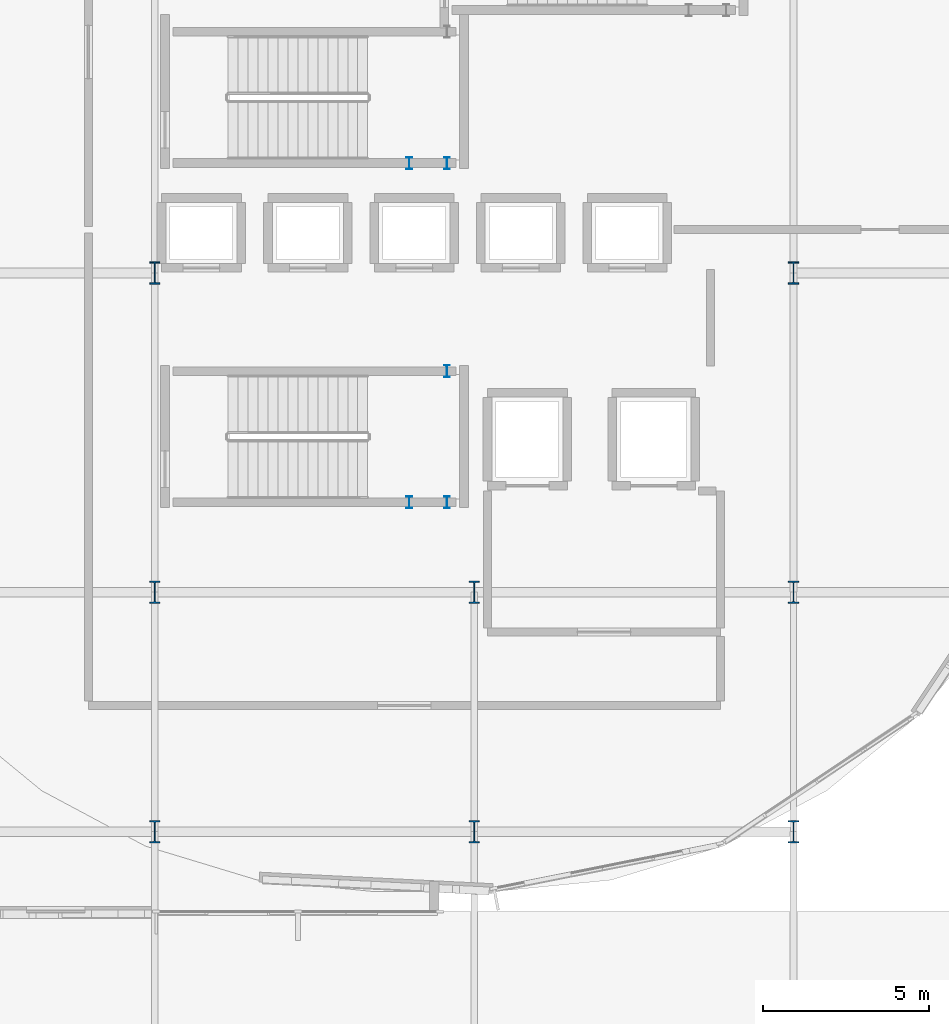
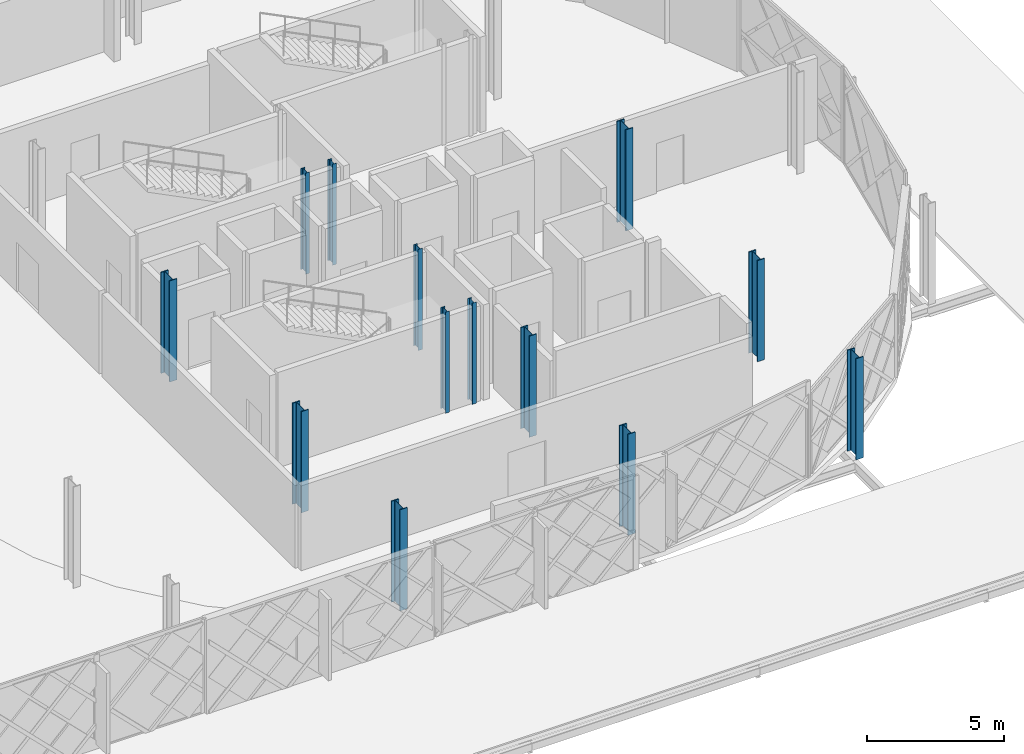
# One storey, part 17 of 101: 13 columns.
"""IFC4 building model written with IfcOpenShell, lengths in metres."""

from ifc_helpers import new_model, si_unit, direction, frame, origin, origin_2d, place, context, subcontext, project, spatial, i_section, extrude, material, material_profile, profile_set, type_object, element, save


model = new_model("IFC4")

# Units and contexts
model_context = context("Model", 3, precision=1e-05, world=origin(), true_north=direction((0.0, 1.0)))
body_context = subcontext(model_context, "Body", "Model", "MODEL_VIEW")
ifc_project = project(units=[si_unit("LENGTHUNIT", "METRE"), si_unit("AREAUNIT", "SQUARE_METRE"), si_unit("VOLUMEUNIT", "CUBIC_METRE"), si_unit("PLANEANGLEUNIT", "RADIAN"), si_unit("MASSUNIT", "GRAM", prefix="KILO")], contexts=[model_context])

# Site, building, storey
site_placement = place(None, origin())
site = spatial("IfcSite", under=ifc_project, at=site_placement, CompositionType="ELEMENT")
building_placement = place(site_placement, origin())
building = spatial("IfcBuilding", under=site, at=building_placement, Name="Zevrakil Square Congress Hotel", CompositionType="ELEMENT")
storey_placement = place(building_placement, frame((0.0, 0.0, 5.39990234375)))
storey = spatial("IfcBuildingStorey", under=building, at=storey_placement, Name="L02", CompositionType="ELEMENT", Elevation=5.39990234375)

# Columns
ifc_material_1 = material(Name="Steel S355", Category="steel")
ifc_material_profile_1 = material_profile(ifc_material_1, i_section(OverallWidth=0.304931640625, OverallDepth=0.66796875, WebThickness=0.02099609375, FlangeThickness=0.0400390625, FilletRadius=0.027099609375, at=origin_2d()), Name="HEM 650")
ifc_profile_set_1 = profile_set([ifc_material_profile_1], Name="Steel S355")
column_type_1 = type_object("IfcColumnType", Name="COL-HEM650", PredefinedType="COLUMN", material=ifc_profile_set_1)
for number, where, z_axis, x_axis, name in (
    (1, (136.800048828125, 9.60009765625, 0.0), (0.0, 0.0, 1.0), (1.0, 0.0, 0.0), "L02 column C-205"),
    (2, (136.800048828125, 16.800048828125, 0.0), (0.0, 0.0, 1.0), (1.0, 0.0, 0.0), "L02 column C-206"),
    (3, (136.800048828125, 26.39990234375, 0.0), (0.0, 0.0, 1.0), (1.0, 0.0, 0.0), "L02 column C-207"),
    (4, (146.39990234375, 9.60009765625, 0.0), (0.0, 0.0, 1.0), (1.0, 0.0, 0.0), "L02 column C-214"),
    (5, (146.39990234375, 16.800048828125, 0.0), (0.0, 0.0, 1.0), (1.0, 0.0, 0.0), "L02 column C-215"),
    (6, (156.0, 9.60009765625, 0.0), (0.0, 0.0, 1.0), (1.0, 0.0, 0.0), "L02 column C-221"),
    (7, (156.0, 16.800048828125, 0.0), (0.0, 0.0, 1.0), (1.0, 0.0, 0.0), "L02 column C-222"),
    (8, (156.0, 26.39990234375, 0.0), (0.0, 0.0, 1.0), (1.0, 0.0, 0.0), "L02 column C-223"),
):
    element("IfcColumn", number, at=place(storey_placement, frame(where, z_axis=z_axis, x_axis=x_axis)), inside=storey, type_object=column_type_1, Name=name, PredefinedType="COLUMN", context=body_context, shape_type="SweptSolid", body=[
        extrude(i_section(OverallWidth=0.304931640625, OverallDepth=0.66796875, WebThickness=0.02099609375, FlangeThickness=0.0400390625, FilletRadius=0.027099609375, at=origin_2d()), origin(), (0.0, 0.0, 1.0), 4.5),
    ])
ifc_material_2 = material(Name="Steel S355", Category="steel")
ifc_material_profile_2 = material_profile(ifc_material_2, i_section(OverallWidth=0.169921875, OverallDepth=0.360107421875, WebThickness=0.008056640625, FlangeThickness=0.0126953125, FilletRadius=0.01806640625, at=origin_2d()), Name="IPE 360")
ifc_profile_set_2 = profile_set([ifc_material_profile_2], Name="Steel S355")
column_type_2 = type_object("IfcColumnType", Name="COL-PILASTER-SHS180", PredefinedType="PILASTER", material=ifc_profile_set_2)
for number, where, z_axis, x_axis, name in (
    (9, (144.449951171875, 19.5, 0.0), (0.0, 0.0, 1.0), (1.0, 0.0, 0.0), "L02 ST01 stair shaft post 1"),
    (10, (145.580078125, 19.5, 0.0), (0.0, 0.0, 1.0), (1.0, 0.0, 0.0), "L02 ST01 stair shaft post 2"),
    (11, (145.580078125, 23.449951171875, 0.0), (0.0, 0.0, 1.0), (1.0, 0.0, 0.0), "L02 ST01 stair shaft post 3"),
    (12, (144.449951171875, 29.699951171875, 0.0), (0.0, 0.0, 1.0), (1.0, 0.0, 0.0), "L02 ST02 stair shaft post 1"),
    (13, (145.580078125, 29.699951171875, 0.0), (0.0, 0.0, 1.0), (1.0, 0.0, 0.0), "L02 ST02 stair shaft post 2"),
):
    element("IfcColumn", number, at=place(storey_placement, frame(where, z_axis=z_axis, x_axis=x_axis)), inside=storey, type_object=column_type_2, Name=name, PredefinedType="PILASTER", context=body_context, shape_type="SweptSolid", body=[
        extrude(i_section(OverallWidth=0.169921875, OverallDepth=0.360107421875, WebThickness=0.008056640625, FlangeThickness=0.0126953125, FilletRadius=0.01806640625, at=origin_2d()), origin(), (0.0, 0.0, 1.0), 4.5),
    ])

save(model, "model.ifc")
